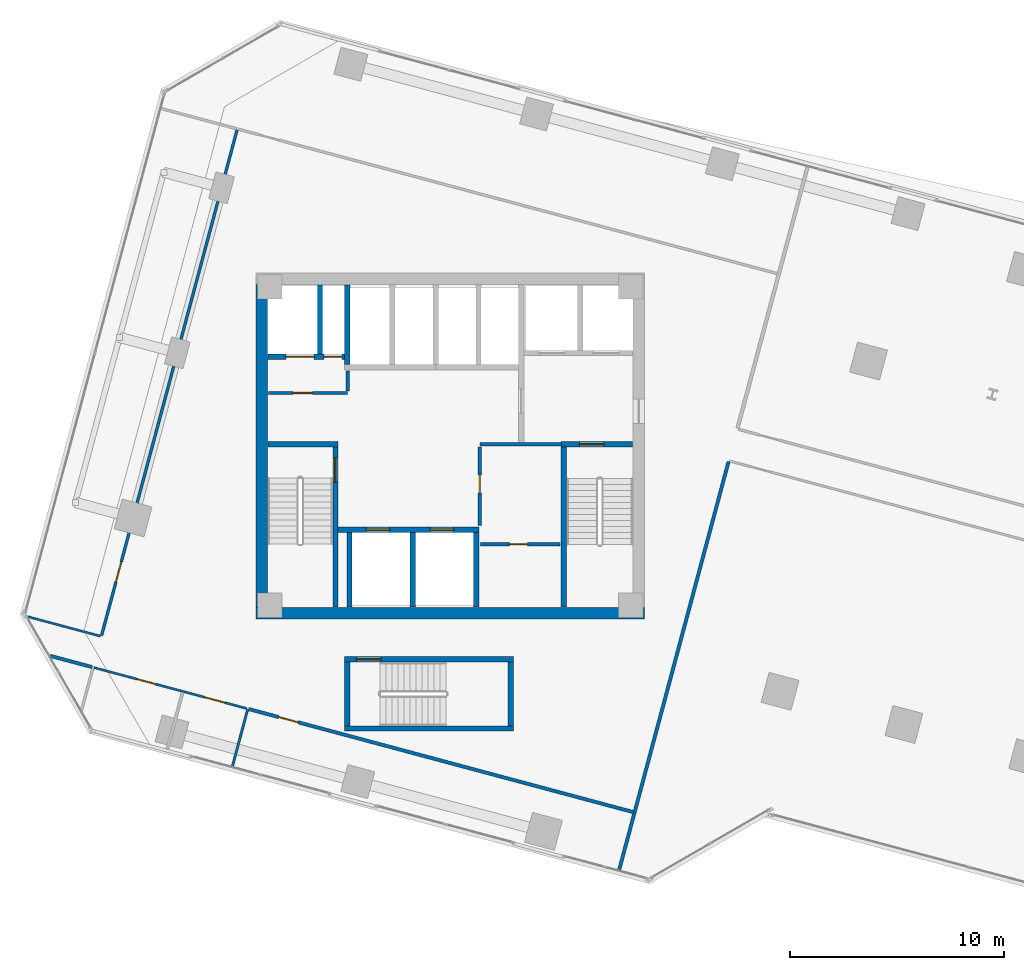
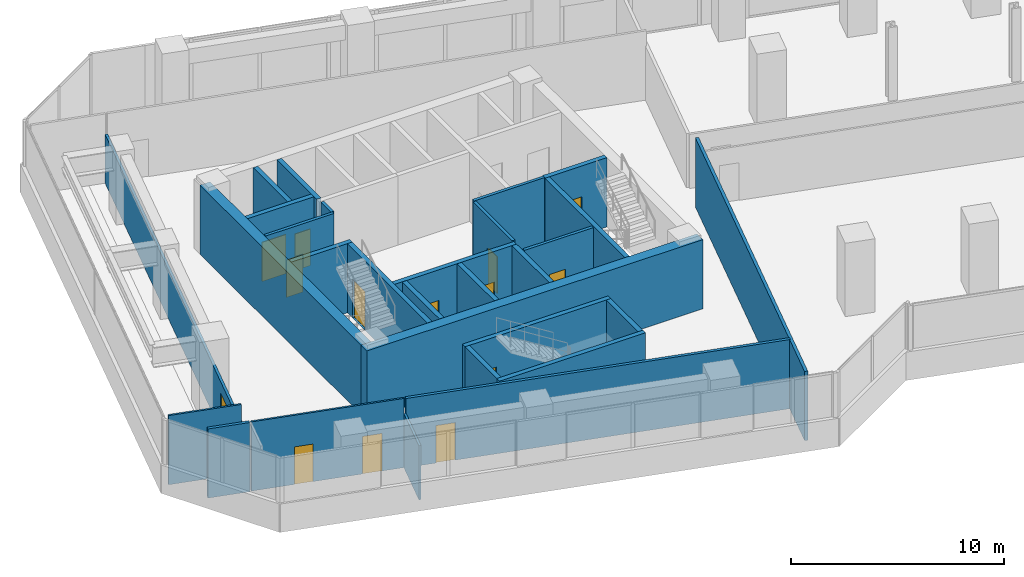
# One storey, part 20 of 26: 29 walls, 14 doors, 14 openings.
"""IFC4 building model written with IfcOpenShell, lengths in metres."""

from ifc_helpers import new_model, si_unit, direction, frame, frame_2d, origin, place, context, subcontext, project, spatial, rectangle, extrude, source, transform, mapped, material, layer, layer_set, type_object, element, fill, save


model = new_model("IFC4")

# Units and contexts
model_context = context("Model", 3, precision=1e-05, world=origin(), true_north=direction((0.0, 1.0)))
body_context = subcontext(model_context, "Body", "Model", "MODEL_VIEW")
ifc_project = project(units=[si_unit("LENGTHUNIT", "METRE"), si_unit("AREAUNIT", "SQUARE_METRE"), si_unit("VOLUMEUNIT", "CUBIC_METRE"), si_unit("PLANEANGLEUNIT", "RADIAN"), si_unit("MASSUNIT", "GRAM", prefix="KILO")], contexts=[model_context])

# Site, building, storey
site_placement = place(None, origin())
site = spatial("IfcSite", under=ifc_project, at=site_placement, CompositionType="ELEMENT")
building_placement = place(site_placement, origin())
building = spatial("IfcBuilding", under=site, at=building_placement, Name="Torre Montelarca", CompositionType="ELEMENT")
storey_placement = place(building_placement, frame((0.0, 0.0, 100.0)))
storey = spatial("IfcBuildingStorey", under=building, at=storey_placement, Name="L22", CompositionType="ELEMENT", Elevation=100.0)

# Wall, opening, door
ifc_material_1 = material(Name="Concrete C40/50", Category="concrete")
ifc_layer_1 = layer(ifc_material_1, 0.25, Name="Concrete C40/50", Category="concrete")
ifc_layer_set_1 = layer_set([ifc_layer_1], Name="Concrete C40/50")
wall_type_1 = type_object("IfcWallType", Name="CW-SHAFT-250", PredefinedType="SHEAR", material=ifc_layer_set_1)
wall_1_placement = place(storey_placement, frame((12.625, 24.4599609375, 0.0), z_axis=(0.0, 0.0, 1.0), x_axis=(0.0, 1.0, 0.0)))
wall_1 = element("IfcWall", 1, at=wall_1_placement, inside=storey, type_object=wall_type_1, Name="L22 Core Shear Wall SH-ST1-E", PredefinedType="SHEAR", context=body_context, shape_type="SweptSolid", body=[
    extrude(rectangle(XDim=7.489990234375, YDim=0.25, at=frame_2d((3.7451171875, 0.0))), origin(), (0.0, 0.0, 1.0), 3.9599609375),
])
opening_1_placement = place(wall_1_placement, frame((5.85009765625, 0.0, 0.0)))
opening_1 = element("IfcOpeningElement", 2, at=opening_1_placement, cuts=wall_1, Name="Opening FD-ST1", PredefinedType="OPENING", context=body_context, shape_type="SweptSolid", body=[
    extrude(rectangle(XDim=1.14990234375, YDim=2.199951171875, at=frame_2d((0.574951171875, 1.10009765625))), frame((0.0, 0.135009765625, 0.0), z_axis=(0.0, -1.0, 0.0), x_axis=(1.0, 0.0, 0.0)), (0.0, 0.0, 1.0), 0.27001953125),
])
ifc_material_2 = material(Name="Galvanized steel fire door", Category="steel")
door_type_1 = type_object("IfcDoorType", Name="DR-STAIR-115", OperationType="NOTDEFINED", PredefinedType="DOOR", material=ifc_material_2)
shared_shape_1 = source(origin(), body_context, "Body", "SweptSolid", [
    extrude(rectangle(XDim=1.14990234375, YDim=2.199951171875, at=frame_2d((0.574951171875, 1.10009765625))), frame((0.0, 0.02490234375, 0.0), z_axis=(0.0, -1.0, 0.0), x_axis=(1.0, 0.0, 0.0)), (0.0, 0.0, 1.0), 0.050048828125),
])
door_1_placement = place(opening_1_placement, origin())
door_1 = element("IfcDoor", 3, at=door_1_placement, inside=storey, type_object=door_type_1, Name="L22 Exit Stair ST1 Fire Door", OperationType="SINGLE_SWING_RIGHT", OverallHeight=2.199951171875, OverallWidth=1.14990234375, PredefinedType="DOOR", context=body_context, shape_type="MappedRepresentation", body=[
    mapped(shared_shape_1, transform((0.0, 0.0, 0.0), scale=1.0)),
])
fill(opening_1, door_1)

# Walls
wall_2_placement = place(storey_placement, frame((9.4599609375, 32.074951171875, 0.0), z_axis=(0.0, 0.0, 1.0), x_axis=(1.0, 0.0, 0.0)))
element("IfcWall", 4, at=wall_2_placement, inside=storey, type_object=wall_type_1, Name="L22 Core Shear Wall SH-ST1-N", PredefinedType="SHEAR", context=body_context, shape_type="SweptSolid", body=[
    extrude(rectangle(XDim=3.2900390625, YDim=0.25, at=frame_2d((1.64501953125, 0.0))), origin(), (0.0, 0.0, 1.0), 3.9599609375),
])
wall_3_placement = place(storey_placement, frame((23.31494140625, 24.4599609375, 0.0), z_axis=(0.0, 0.0, 1.0), x_axis=(0.0, 1.0, 0.0)))
element("IfcWall", 5, at=wall_3_placement, inside=storey, type_object=wall_type_1, Name="L22 Core Shear Wall SH-ST2-W", PredefinedType="SHEAR", context=body_context, shape_type="SweptSolid", body=[
    extrude(rectangle(XDim=7.489990234375, YDim=0.25, at=frame_2d((3.7451171875, 0.0))), origin(), (0.0, 0.0, 1.0), 3.9599609375),
])

# Wall, opening, door
wall_4_placement = place(storey_placement, frame((23.18994140625, 32.074951171875, 0.0), z_axis=(0.0, 0.0, 1.0), x_axis=(1.0, 0.0, 0.0)))
wall_4 = element("IfcWall", 6, at=wall_4_placement, inside=storey, type_object=wall_type_1, Name="L22 Core Shear Wall SH-ST2-N", PredefinedType="SHEAR", context=body_context, shape_type="SweptSolid", body=[
    extrude(rectangle(XDim=3.35009765625, YDim=0.25, at=frame_2d((1.675048828125, 0.0))), origin(), (0.0, 0.0, 1.0), 3.9599609375),
])
opening_2_placement = place(wall_4_placement, frame((0.85009765625, 0.0, 0.0)))
opening_2 = element("IfcOpeningElement", 7, at=opening_2_placement, cuts=wall_4, Name="Opening FD-ST1", PredefinedType="OPENING", context=body_context, shape_type="SweptSolid", body=[
    extrude(rectangle(XDim=1.14990234375, YDim=2.199951171875, at=frame_2d((0.574951171875, 1.10009765625))), frame((0.0, 0.135009765625, 0.0), z_axis=(0.0, -1.0, 0.0), x_axis=(1.0, 0.0, 0.0)), (0.0, 0.0, 1.0), 0.27001953125),
])
door_2_placement = place(opening_2_placement, origin())
door_2 = element("IfcDoor", 8, at=door_2_placement, inside=storey, type_object=door_type_1, Name="L22 Exit Stair ST2 Fire Door", OperationType="SINGLE_SWING_RIGHT", OverallHeight=2.199951171875, OverallWidth=1.14990234375, PredefinedType="DOOR", context=body_context, shape_type="MappedRepresentation", body=[
    mapped(shared_shape_1, transform((0.0, 0.0, 0.0), scale=1.0)),
])
fill(opening_2, door_2)

# Wall, openings, doors
wall_5_placement = place(storey_placement, frame((9.4599609375, 36.179931640625, 0.0), z_axis=(0.0, 0.0, 1.0), x_axis=(1.0, 0.0, 0.0)))
wall_5 = element("IfcWall", 9, at=wall_5_placement, inside=storey, type_object=wall_type_1, Name="L22 Core Shear Wall SH-SV1-S", PredefinedType="SHEAR", context=body_context, shape_type="SweptSolid", body=[
    extrude(rectangle(XDim=3.7900390625, YDim=0.25, at=frame_2d((1.89501953125, 0.0))), origin(), (0.0, 0.0, 1.0), 3.9599609375),
])
opening_3_placement = place(wall_5_placement, frame((2.6201171875, 0.0, 0.0)))
opening_3 = element("IfcOpeningElement", 10, at=opening_3_placement, cuts=wall_5, Name="Opening FD-085", PredefinedType="OPENING", context=body_context, shape_type="SweptSolid", body=[
    extrude(rectangle(XDim=0.85009765625, YDim=2.10009765625, at=frame_2d((0.425048828125, 1.050048828125))), frame((0.0, 0.135009765625, 0.0), z_axis=(0.0, -1.0, 0.0), x_axis=(1.0, 0.0, 0.0)), (0.0, 0.0, 1.0), 0.27001953125),
])
opening_4_placement = place(wall_5_placement, frame((0.85009765625, 0.0, 0.0)))
opening_4 = element("IfcOpeningElement", 11, at=opening_4_placement, cuts=wall_5, Name="Opening LD-130", PredefinedType="OPENING", context=body_context, shape_type="SweptSolid", body=[
    extrude(rectangle(XDim=1.300048828125, YDim=2.25, at=frame_2d((0.64990234375, 1.125))), frame((0.0, 0.135009765625, 0.0), z_axis=(0.0, -1.0, 0.0), x_axis=(1.0, 0.0, 0.0)), (0.0, 0.0, 1.0), 0.27001953125),
])
ifc_material_3 = material(Name="Steel riser access fire door", Category="steel")
door_type_2 = type_object("IfcDoorType", Name="DR-RISER-085", OperationType="NOTDEFINED", PredefinedType="DOOR", material=ifc_material_3)
shared_shape_2 = source(origin(), body_context, "Body", "SweptSolid", [
    extrude(rectangle(XDim=0.85009765625, YDim=2.10009765625, at=frame_2d((0.425048828125, 1.050048828125))), frame((0.0, 0.02490234375, 0.0), z_axis=(0.0, -1.0, 0.0), x_axis=(1.0, 0.0, 0.0)), (0.0, 0.0, 1.0), 0.050048828125),
])
door_3_placement = place(opening_3_placement, origin())
door_3 = element("IfcDoor", 12, at=door_3_placement, inside=storey, type_object=door_type_2, Name="L22 Electrical Riser Shaft Access Door", OperationType="SINGLE_SWING_RIGHT", OverallHeight=2.10009765625, OverallWidth=0.85009765625, PredefinedType="DOOR", context=body_context, shape_type="MappedRepresentation", body=[
    mapped(shared_shape_2, transform((0.0, 0.0, 0.0), scale=1.0)),
])
fill(opening_3, door_3)
ifc_material_4 = material(Name="Brushed stainless steel AISI 316", Category="steel")
door_type_3 = type_object("IfcDoorType", Name="DR-LIFT-130", OperationType="SLIDING_TO_LEFT", PredefinedType="DOOR", material=ifc_material_4)
shared_shape_3 = source(origin(), body_context, "Body", "SweptSolid", [
    extrude(rectangle(XDim=1.300048828125, YDim=2.25, at=frame_2d((0.64990234375, 1.125))), frame((0.0, 0.02490234375, 0.0), z_axis=(0.0, -1.0, 0.0), x_axis=(1.0, 0.0, 0.0)), (0.0, 0.0, 1.0), 0.050048828125),
])
door_4_placement = place(opening_4_placement, origin())
door_4 = element("IfcDoor", 13, at=door_4_placement, inside=storey, type_object=door_type_3, Name="L22 Lift Landing Sliding Door SV-1", OperationType="SLIDING_TO_LEFT", OverallHeight=2.25, OverallWidth=1.300048828125, PredefinedType="DOOR", context=body_context, shape_type="MappedRepresentation", body=[
    mapped(shared_shape_3, transform((0.0, 0.0, 0.0), scale=1.0)),
])
fill(opening_4, door_4)

# Wall
wall_6_placement = place(storey_placement, frame((11.89990234375, 36.31005859375, 0.0), z_axis=(0.0, 0.0, 1.0), x_axis=(0.0, 1.0, 0.0)))
element("IfcWall", 14, at=wall_6_placement, inside=storey, type_object=wall_type_1, Name="L22 Core Shear Wall SH-SV1-E", PredefinedType="SHEAR", context=body_context, shape_type="SweptSolid", body=[
    extrude(rectangle(XDim=3.22998046875, YDim=0.25, at=frame_2d((1.614990234375, 0.0))), origin(), (0.0, 0.0, 1.0), 3.9599609375),
])

# Wall, openings, doors
wall_7_placement = place(storey_placement, frame((12.6298828125, 28.080078125, 0.0), z_axis=(0.0, 0.0, 1.0), x_axis=(1.0, 0.0, 0.0)))
wall_7 = element("IfcWall", 15, at=wall_7_placement, inside=storey, type_object=wall_type_1, Name="L22 Core Shear Wall SH-PLL-N", PredefinedType="SHEAR", context=body_context, shape_type="SweptSolid", body=[
    extrude(rectangle(XDim=6.710205078125, YDim=0.25, at=frame_2d((3.35498046875, 0.0))), origin(), (0.0, 0.0, 1.0), 3.9599609375),
])
opening_5_placement = place(wall_7_placement, frame((1.429931640625, 0.0, 0.0)))
opening_5 = element("IfcOpeningElement", 16, at=opening_5_placement, cuts=wall_7, Name="Opening LD-110", PredefinedType="OPENING", context=body_context, shape_type="SweptSolid", body=[
    extrude(rectangle(XDim=1.10009765625, YDim=2.199951171875, at=frame_2d((0.550048828125, 1.10009765625))), frame((0.0, 0.135009765625, 0.0), z_axis=(0.0, -1.0, 0.0), x_axis=(1.0, 0.0, 0.0)), (0.0, 0.0, 1.0), 0.27001953125),
])
opening_6_placement = place(wall_7_placement, frame((4.429931640625, 0.0, 0.0)))
opening_6 = element("IfcOpeningElement", 17, at=opening_6_placement, cuts=wall_7, Name="Opening LD-110", PredefinedType="OPENING", context=body_context, shape_type="SweptSolid", body=[
    extrude(rectangle(XDim=1.10009765625, YDim=2.199951171875, at=frame_2d((0.550048828125, 1.10009765625))), frame((0.0, 0.135009765625, 0.0), z_axis=(0.0, -1.0, 0.0), x_axis=(1.0, 0.0, 0.0)), (0.0, 0.0, 1.0), 0.27001953125),
])
door_type_4 = type_object("IfcDoorType", Name="DR-LIFT-110", OperationType="SLIDING_TO_LEFT", PredefinedType="DOOR", material=ifc_material_4)
shared_shape_4 = source(origin(), body_context, "Body", "SweptSolid", [
    extrude(rectangle(XDim=1.10009765625, YDim=2.199951171875, at=frame_2d((0.550048828125, 1.10009765625))), frame((0.0, 0.02490234375, 0.0), z_axis=(0.0, -1.0, 0.0), x_axis=(1.0, 0.0, 0.0)), (0.0, 0.0, 1.0), 0.050048828125),
])
door_5_placement = place(opening_5_placement, origin())
door_5 = element("IfcDoor", 18, at=door_5_placement, inside=storey, type_object=door_type_4, Name="L22 Lift Landing Sliding Door PL-L1", OperationType="SLIDING_TO_LEFT", OverallHeight=2.199951171875, OverallWidth=1.10009765625, PredefinedType="DOOR", context=body_context, shape_type="MappedRepresentation", body=[
    mapped(shared_shape_4, transform((0.0, 0.0, 0.0), scale=1.0)),
])
fill(opening_5, door_5)
door_6_placement = place(opening_6_placement, origin())
door_6 = element("IfcDoor", 19, at=door_6_placement, inside=storey, type_object=door_type_4, Name="L22 Lift Landing Sliding Door PL-L2", OperationType="SLIDING_TO_RIGHT", OverallHeight=2.199951171875, OverallWidth=1.10009765625, PredefinedType="DOOR", context=body_context, shape_type="MappedRepresentation", body=[
    mapped(shared_shape_4, transform((0.0, 0.0, 0.0), scale=1.0)),
])
fill(opening_6, door_6)

# Walls
for number, where, z_axis, x_axis, name in (
    (20, (13.280029296875, 24.4599609375, 0.0), (0.0, 0.0, 1.0), (0.0, 1.0, 0.0), "L22 Core Shear Wall SH-PLL-W"),
    (21, (16.25, 24.4599609375, 0.0), (0.0, 0.0, 1.0), (0.0, 1.0, 0.0), "L22 Core Shear Wall SH-PLL-M"),
    (22, (19.219970703125, 24.4599609375, 0.0), (0.0, 0.0, 1.0), (0.0, 1.0, 0.0), "L22 Core Shear Wall SH-PLL-E"),
):
    element("IfcWall", number, at=place(storey_placement, frame(where, z_axis=z_axis, x_axis=x_axis)), inside=storey, type_object=wall_type_1, Name=name, PredefinedType="SHEAR", context=body_context, shape_type="SweptSolid", body=[
        extrude(rectangle(XDim=3.489990234375, YDim=0.25, at=frame_2d((1.7451171875, 0.0))), origin(), (0.0, 0.0, 1.0), 3.9599609375),
    ])
wall_8_placement = place(storey_placement, frame((13.179931640625, 35.81005859375, 0.0), z_axis=(0.0, 0.0, 1.0), x_axis=(0.0, 1.0, 0.0)))
element("IfcWall", 23, at=wall_8_placement, inside=storey, type_object=wall_type_1, Name="L22 Core Shear Wall SH-PLM-W", PredefinedType="SHEAR", context=body_context, shape_type="SweptSolid", body=[
    extrude(rectangle(XDim=3.72998046875, YDim=0.25, at=frame_2d((1.864990234375, 0.0))), origin(), (0.0, 0.0, 1.0), 3.9599609375),
])
for number, where, z_axis, x_axis, name in (
    (24, (13.175048828125, 18.89990234375, 0.0), (0.0, 0.0, 1.0), (0.0, 1.0, 0.0), "L22 Core Shear Wall SH-ST3-W"),
    (25, (20.824951171875, 18.89990234375, 0.0), (0.0, 0.0, 1.0), (0.0, 1.0, 0.0), "L22 Core Shear Wall SH-ST3-E"),
):
    element("IfcWall", number, at=place(storey_placement, frame(where, z_axis=z_axis, x_axis=x_axis)), inside=storey, type_object=wall_type_1, Name=name, PredefinedType="SHEAR", context=body_context, shape_type="SweptSolid", body=[
        extrude(rectangle(XDim=2.989990234375, YDim=0.25, at=frame_2d((1.4951171875, 0.0))), origin(), (0.0, 0.0, 1.0), 3.9599609375),
    ])
wall_9_placement = place(storey_placement, frame((13.050048828125, 18.77490234375, 0.0), z_axis=(0.0, 0.0, 1.0), x_axis=(1.0, 0.0, 0.0)))
element("IfcWall", 26, at=wall_9_placement, inside=storey, type_object=wall_type_1, Name="L22 Core Shear Wall SH-ST3-S", PredefinedType="SHEAR", context=body_context, shape_type="SweptSolid", body=[
    extrude(rectangle(XDim=7.89990234375, YDim=0.25, at=frame_2d((3.949951171875, 0.0))), origin(), (0.0, 0.0, 1.0), 3.9599609375),
])

# Wall, opening, door
wall_10_placement = place(storey_placement, frame((13.050048828125, 22.014892578125, 0.0), z_axis=(0.0, 0.0, 1.0), x_axis=(1.0, 0.0, 0.0)))
wall_10 = element("IfcWall", 27, at=wall_10_placement, inside=storey, type_object=wall_type_1, Name="L22 Core Shear Wall SH-ST3-N", PredefinedType="SHEAR", context=body_context, shape_type="SweptSolid", body=[
    extrude(rectangle(XDim=7.89990234375, YDim=0.25, at=frame_2d((3.949951171875, 0.0))), origin(), (0.0, 0.0, 1.0), 3.9599609375),
])
opening_7_placement = place(wall_10_placement, frame((0.550048828125, 0.0, 0.0)))
opening_7 = element("IfcOpeningElement", 28, at=opening_7_placement, cuts=wall_10, Name="Opening FD-ST1", PredefinedType="OPENING", context=body_context, shape_type="SweptSolid", body=[
    extrude(rectangle(XDim=1.14990234375, YDim=2.199951171875, at=frame_2d((0.574951171875, 1.10009765625))), frame((0.0, 0.135009765625, 0.0), z_axis=(0.0, -1.0, 0.0), x_axis=(1.0, 0.0, 0.0)), (0.0, 0.0, 1.0), 0.27001953125),
])
door_7_placement = place(opening_7_placement, origin())
door_7 = element("IfcDoor", 29, at=door_7_placement, inside=storey, type_object=door_type_1, Name="L22 Exit Stair ST3 Fire Door", OperationType="SINGLE_SWING_LEFT", OverallHeight=2.199951171875, OverallWidth=1.14990234375, PredefinedType="DOOR", context=body_context, shape_type="MappedRepresentation", body=[
    mapped(shared_shape_1, transform((0.0, 0.0, 0.0), scale=1.0)),
])
fill(opening_7, door_7)

# Walls
ifc_material_5 = material(Name="Concrete C70/85", Category="concrete")
ifc_layer_2 = layer(ifc_material_5, 0.550048828125, Name="Concrete C70/85", Category="concrete")
ifc_layer_set_2 = layer_set([ifc_layer_2], Name="Concrete C70/85")
wall_type_2 = type_object("IfcWallType", Name="CW-SHEAR-550", PredefinedType="SHEAR", material=ifc_layer_set_2)
wall_11_placement = place(storey_placement, frame((9.175048828125, 24.449951171875, 0.0), z_axis=(0.0, 0.0, 1.0), x_axis=(0.0, 1.0, 0.0)))
element("IfcWall", 30, at=wall_11_placement, inside=storey, type_object=wall_type_2, Name="L22 Core Shear Wall CW-W", PredefinedType="SHEAR", context=body_context, shape_type="SweptSolid", body=[
    extrude(rectangle(XDim=15.10009765625, YDim=0.550048828125, at=frame_2d((7.550048828125, 0.0))), origin(), (0.0, 0.0, 1.0), 3.9599609375),
])
wall_12_placement = place(storey_placement, frame((8.89990234375, 24.175048828125, 0.0), z_axis=(0.0, 0.0, 1.0), x_axis=(1.0, 0.0, 0.0)))
element("IfcWall", 31, at=wall_12_placement, inside=storey, type_object=wall_type_2, Name="L22 Core Shear Wall CW-S1", PredefinedType="SHEAR", context=body_context, shape_type="SweptSolid", body=[
    extrude(rectangle(XDim=18.2001953125, YDim=0.550048828125, at=frame_2d((9.10009765625, 0.0))), origin(), (0.0, 0.0, 1.0), 3.9599609375),
])

# Wall, opening, door
ifc_material_6 = material(Name="Gypsum plasterboard on steel stud", Category="steel")
ifc_layer_3 = layer(ifc_material_6, 0.159912109375, Name="Gypsum plasterboard on steel stud", Category="steel")
ifc_layer_set_3 = layer_set([ifc_layer_3], Name="Gypsum plasterboard on steel stud")
wall_type_3 = type_object("IfcWallType", Name="PW-FIRE-160", PredefinedType="PARTITIONING", material=ifc_layer_set_3)
wall_13_placement = place(storey_placement, frame((9.489990234375, 34.47998046875, 0.0), z_axis=(0.0, 0.0, 1.0), x_axis=(1.0, 0.0, 0.0)))
wall_13 = element("IfcWall", 32, at=wall_13_placement, inside=storey, type_object=wall_type_3, Name="L22 Interior Partition CW-L22-SVS", PredefinedType="PARTITIONING", context=body_context, shape_type="SweptSolid", body=[
    extrude(rectangle(XDim=3.699951171875, YDim=0.159912109375, at=frame_2d((1.85009765625, 0.0))), origin(), (0.0, 0.0, 1.0), 3.9599609375),
])
opening_8_placement = place(wall_13_placement, frame((1.14990234375, 0.0, 0.0)))
opening_8 = element("IfcOpeningElement", 33, at=opening_8_placement, cuts=wall_13, Name="Opening FD-090", PredefinedType="OPENING", context=body_context, shape_type="SweptSolid", body=[
    extrude(rectangle(XDim=0.89990234375, YDim=2.14990234375, at=frame_2d((0.449951171875, 1.074951171875))), frame((0.0, 0.08984375, 0.0), z_axis=(0.0, -1.0, 0.0), x_axis=(1.0, 0.0, 0.0)), (0.0, 0.0, 1.0), 0.179931640625),
])
ifc_material_7 = material(Name="Steel service fire door", Category="steel")
door_type_5 = type_object("IfcDoorType", Name="DR-FIRE-090", OperationType="NOTDEFINED", PredefinedType="DOOR", material=ifc_material_7)
shared_shape_5 = source(origin(), body_context, "Body", "SweptSolid", [
    extrude(rectangle(XDim=0.89990234375, YDim=2.14990234375, at=frame_2d((0.449951171875, 1.074951171875))), frame((0.0, 0.02490234375, 0.0), z_axis=(0.0, -1.0, 0.0), x_axis=(1.0, 0.0, 0.0)), (0.0, 0.0, 1.0), 0.050048828125),
])
door_8_placement = place(opening_8_placement, origin())
door_8 = element("IfcDoor", 34, at=door_8_placement, inside=storey, type_object=door_type_5, Name="L22 Interior Door 01", OperationType="SINGLE_SWING_RIGHT", OverallHeight=2.14990234375, OverallWidth=0.89990234375, PredefinedType="DOOR", context=body_context, shape_type="MappedRepresentation", body=[
    mapped(shared_shape_5, transform((0.0, 0.0, 0.0), scale=1.0)),
])
fill(opening_8, door_8)

# Walls
wall_14_placement = place(storey_placement, frame((13.199951171875, 34.570068359375, 0.0), z_axis=(0.0, 0.0, 1.0), x_axis=(0.0, 1.0, 0.0)))
element("IfcWall", 35, at=wall_14_placement, inside=storey, type_object=wall_type_3, Name="L22 Interior Partition CW-L22-SVE", PredefinedType="PARTITIONING", context=body_context, shape_type="SweptSolid", body=[
    extrude(rectangle(XDim=0.93994140625, YDim=0.159912109375, at=frame_2d((0.469970703125, 0.0))), origin(), (0.0, 0.0, 1.0), 3.9599609375),
])
wall_15_placement = place(storey_placement, frame((19.389892578125, 32.080078125, 0.0), z_axis=(0.0, 0.0, 1.0), x_axis=(1.0, 0.0, 0.0)))
element("IfcWall", 36, at=wall_15_placement, inside=storey, type_object=wall_type_3, Name="L22 Interior Partition CW-L22-SEN", PredefinedType="PARTITIONING", context=body_context, shape_type="SweptSolid", body=[
    extrude(rectangle(XDim=3.820068359375, YDim=0.159912109375, at=frame_2d((1.91015625, 0.0))), origin(), (0.0, 0.0, 1.0), 3.9599609375),
])

# Wall, opening, door
wall_16_placement = place(storey_placement, frame((19.3798828125, 28.2900390625, 0.0), z_axis=(0.0, 0.0, 1.0), x_axis=(0.0, 1.0, 0.0)))
wall_16 = element("IfcWall", 37, at=wall_16_placement, inside=storey, type_object=wall_type_3, Name="L22 Interior Partition CW-L22-SEW", PredefinedType="PARTITIONING", context=body_context, shape_type="SweptSolid", body=[
    extrude(rectangle(XDim=3.669921875, YDim=0.159912109375, at=frame_2d((1.8349609375, 0.0))), origin(), (0.0, 0.0, 1.0), 3.9599609375),
])
opening_9_placement = place(wall_16_placement, frame((1.5, 0.0, 0.0)))
opening_9 = element("IfcOpeningElement", 38, at=opening_9_placement, cuts=wall_16, Name="Opening FD-085", PredefinedType="OPENING", context=body_context, shape_type="SweptSolid", body=[
    extrude(rectangle(XDim=0.85009765625, YDim=2.10009765625, at=frame_2d((0.425048828125, 1.050048828125))), frame((0.0, 0.08984375, 0.0), z_axis=(0.0, -1.0, 0.0), x_axis=(1.0, 0.0, 0.0)), (0.0, 0.0, 1.0), 0.179931640625),
])
door_9_placement = place(opening_9_placement, origin())
door_9 = element("IfcDoor", 39, at=door_9_placement, inside=storey, type_object=door_type_2, Name="L22 Interior Door 03", OperationType="SINGLE_SWING_RIGHT", OverallHeight=2.10009765625, OverallWidth=0.85009765625, PredefinedType="DOOR", context=body_context, shape_type="MappedRepresentation", body=[
    mapped(shared_shape_2, transform((0.0, 0.0, 0.0), scale=1.0)),
])
fill(opening_9, door_9)

wall_17_placement = place(storey_placement, frame((19.419921875, 27.39990234375, 0.0), z_axis=(0.0, 0.0, 1.0), x_axis=(1.0, 0.0, 0.0)))
wall_17 = element("IfcWall", 40, at=wall_17_placement, inside=storey, type_object=wall_type_3, Name="L22 Interior Partition CW-L22-SEM1", PredefinedType="PARTITIONING", context=body_context, shape_type="SweptSolid", body=[
    extrude(rectangle(XDim=3.719970703125, YDim=0.159912109375, at=frame_2d((1.85986328125, 0.0))), origin(), (0.0, 0.0, 1.0), 3.9599609375),
])
opening_10_placement = place(wall_17_placement, frame((1.35009765625, 0.0, 0.0)))
opening_10 = element("IfcOpeningElement", 41, at=opening_10_placement, cuts=wall_17, Name="Opening FD-085", PredefinedType="OPENING", context=body_context, shape_type="SweptSolid", body=[
    extrude(rectangle(XDim=0.85009765625, YDim=2.10009765625, at=frame_2d((0.425048828125, 1.050048828125))), frame((0.0, 0.08984375, 0.0), z_axis=(0.0, -1.0, 0.0), x_axis=(1.0, 0.0, 0.0)), (0.0, 0.0, 1.0), 0.179931640625),
])
door_10_placement = place(opening_10_placement, origin())
door_10 = element("IfcDoor", 42, at=door_10_placement, inside=storey, type_object=door_type_2, Name="L22 Interior Door 02", OperationType="SINGLE_SWING_LEFT", OverallHeight=2.10009765625, OverallWidth=0.85009765625, PredefinedType="DOOR", context=body_context, shape_type="MappedRepresentation", body=[
    mapped(shared_shape_2, transform((0.0, 0.0, 0.0), scale=1.0)),
])
fill(opening_10, door_10)

# Wall
wall_18_placement = place(storey_placement, frame((-0.7216796875, 22.176513671875, 0.0), z_axis=(0.0, 0.0, 1.0), x_axis=(0.965965207833, -0.258672026426, 0.0)))
element("IfcWall", 43, at=wall_18_placement, inside=storey, type_object=wall_type_3, Name="L22 Interior Partition W-L22-SOCCW", PredefinedType="PARTITIONING", context=body_context, shape_type="SweptSolid", body=[
    extrude(rectangle(XDim=2.031982421875, YDim=0.159912109375, at=frame_2d((1.01611328125, 0.0))), origin(), (0.0, 0.0, 1.0), 3.9599609375),
])

# Wall, opening, door
wall_19_placement = place(storey_placement, frame((8.562744140625, 19.688720703125, 0.0), z_axis=(0.0, 0.0, 1.0), x_axis=(0.965928721089, -0.258808241319, 0.0)))
wall_19 = element("IfcWall", 44, at=wall_19_placement, inside=storey, type_object=wall_type_3, Name="L22 Interior Partition W-L22-SOCCN", PredefinedType="PARTITIONING", context=body_context, shape_type="SweptSolid", body=[
    extrude(rectangle(XDim=18.659912109375, YDim=0.159912109375, at=frame_2d((9.330078125, 0.0))), origin(), (0.0, 0.0, 1.0), 3.9599609375),
])
opening_11_placement = place(wall_19_placement, frame((1.449951171875, 0.0, 0.0)))
opening_11 = element("IfcOpeningElement", 45, at=opening_11_placement, cuts=wall_19, Name="Opening FD-095", PredefinedType="OPENING", context=body_context, shape_type="SweptSolid", body=[
    extrude(rectangle(XDim=0.949951171875, YDim=2.14990234375, at=frame_2d((0.47509765625, 1.074951171875))), frame((0.0, 0.08984375, 0.0), z_axis=(0.0, -1.0, 0.0), x_axis=(1.0, 0.0, 0.0)), (0.0, 0.0, 1.0), 0.179931640625),
])
ifc_material_8 = material(Name="Timber fire-rated room door", Category="wood")
door_type_6 = type_object("IfcDoorType", Name="DR-FIRE-095", OperationType="NOTDEFINED", PredefinedType="DOOR", material=ifc_material_8)
shared_shape_6 = source(origin(), body_context, "Body", "SweptSolid", [
    extrude(rectangle(XDim=0.949951171875, YDim=2.14990234375, at=frame_2d((0.47509765625, 1.074951171875))), frame((0.0, 0.02490234375, 0.0), z_axis=(0.0, -1.0, 0.0), x_axis=(1.0, 0.0, 0.0)), (0.0, 0.0, 1.0), 0.050048828125),
])
door_11_placement = place(opening_11_placement, origin())
door_11 = element("IfcDoor", 46, at=door_11_placement, inside=storey, type_object=door_type_6, Name="L22 Interior Door 06", OperationType="SINGLE_SWING_RIGHT", OverallHeight=2.14990234375, OverallWidth=0.949951171875, PredefinedType="DOOR", context=body_context, shape_type="MappedRepresentation", body=[
    mapped(shared_shape_6, transform((0.0, 0.0, 0.0), scale=1.0)),
])
fill(opening_11, door_11)

# Wall
wall_20_placement = place(storey_placement, frame((25.90625, 12.163818359375, 0.0), z_axis=(0.0, 0.0, 1.0), x_axis=(0.258805595447, 0.965929430013, 0.0)))
element("IfcWall", 47, at=wall_20_placement, inside=storey, type_object=wall_type_3, Name="L22 Interior Partition W-L22-ECS", PredefinedType="PARTITIONING", context=body_context, shape_type="SweptSolid", body=[
    extrude(rectangle(XDim=19.77978515625, YDim=0.159912109375, at=frame_2d((9.889892578125, 0.0))), origin(), (0.0, 0.0, 1.0), 3.9599609375),
])

# Wall, openings, doors
ifc_material_9 = material(Name="Acoustic laminated glass partition", Category="glass")
ifc_layer_4 = layer(ifc_material_9, 0.10009765625, Name="Acoustic laminated glass partition", Category="glass")
ifc_layer_set_4 = layer_set([ifc_layer_4], Name="Acoustic laminated glass partition")
wall_type_4 = type_object("IfcWallType", Name="PW-GLAZ-100", PredefinedType="PARTITIONING", material=ifc_layer_set_4)
wall_21_placement = place(storey_placement, frame((1.318359375, 21.6298828125, 0.0), z_axis=(0.0, 0.0, 1.0), x_axis=(0.965935568552, -0.258782683744, 0.0)))
wall_21 = element("IfcWall", 48, at=wall_21_placement, inside=storey, type_object=wall_type_4, Name="L22 Interior Partition W-L22-WCN", PredefinedType="PARTITIONING", context=body_context, shape_type="SweptSolid", body=[
    extrude(rectangle(XDim=7.419921875, YDim=0.10009765625, at=frame_2d((3.7099609375, 0.0))), origin(), (0.0, 0.0, 1.0), 3.9599609375),
])
opening_12_placement = place(wall_21_placement, frame((2.10009765625, 0.0, 0.0)))
opening_12 = element("IfcOpeningElement", 49, at=opening_12_placement, cuts=wall_21, Name="Opening ID-090", PredefinedType="OPENING", context=body_context, shape_type="SweptSolid", body=[
    extrude(rectangle(XDim=0.89990234375, YDim=2.14990234375, at=frame_2d((0.449951171875, 1.074951171875))), frame((0.0, 0.06005859375, 0.0), z_axis=(0.0, -1.0, 0.0), x_axis=(1.0, 0.0, 0.0)), (0.0, 0.0, 1.0), 0.1201171875),
])
opening_13_placement = place(wall_21_placement, frame((5.39990234375, 0.0, 0.0)))
opening_13 = element("IfcOpeningElement", 50, at=opening_13_placement, cuts=wall_21, Name="Opening ID-095", PredefinedType="OPENING", context=body_context, shape_type="SweptSolid", body=[
    extrude(rectangle(XDim=0.949951171875, YDim=2.14990234375, at=frame_2d((0.47509765625, 1.074951171875))), frame((0.0, 0.06005859375, 0.0), z_axis=(0.0, -1.0, 0.0), x_axis=(1.0, 0.0, 0.0)), (0.0, 0.0, 1.0), 0.1201171875),
])
ifc_material_10 = material(Name="Hardwood acoustic timber veneer", Category="wood")
door_type_7 = type_object("IfcDoorType", Name="DR-INT-090", OperationType="NOTDEFINED", PredefinedType="DOOR", material=ifc_material_10)
shared_shape_7 = source(origin(), body_context, "Body", "SweptSolid", [
    extrude(rectangle(XDim=0.89990234375, YDim=2.14990234375, at=frame_2d((0.449951171875, 1.074951171875))), frame((0.0, 0.02490234375, 0.0), z_axis=(0.0, -1.0, 0.0), x_axis=(1.0, 0.0, 0.0)), (0.0, 0.0, 1.0), 0.050048828125),
])
door_12_placement = place(opening_12_placement, origin())
door_12 = element("IfcDoor", 51, at=door_12_placement, inside=storey, type_object=door_type_7, Name="L22 Interior Door 04", OperationType="SINGLE_SWING_LEFT", OverallHeight=2.14990234375, OverallWidth=0.89990234375, PredefinedType="DOOR", context=body_context, shape_type="MappedRepresentation", body=[
    mapped(shared_shape_7, transform((0.0, 0.0, 0.0), scale=1.0)),
])
fill(opening_12, door_12)
door_type_8 = type_object("IfcDoorType", Name="DR-INT-095", OperationType="NOTDEFINED", PredefinedType="DOOR", material=ifc_material_10)
shared_shape_8 = source(origin(), body_context, "Body", "SweptSolid", [
    extrude(rectangle(XDim=0.949951171875, YDim=2.14990234375, at=frame_2d((0.47509765625, 1.074951171875))), frame((0.0, 0.02490234375, 0.0), z_axis=(0.0, -1.0, 0.0), x_axis=(1.0, 0.0, 0.0)), (0.0, 0.0, 1.0), 0.050048828125),
])
door_13_placement = place(opening_13_placement, origin())
door_13 = element("IfcDoor", 52, at=door_13_placement, inside=storey, type_object=door_type_8, Name="L22 Interior Door 05", OperationType="SINGLE_SWING_RIGHT", OverallHeight=2.14990234375, OverallWidth=0.949951171875, PredefinedType="DOOR", context=body_context, shape_type="MappedRepresentation", body=[
    mapped(shared_shape_8, transform((0.0, 0.0, 0.0), scale=1.0)),
])
fill(opening_13, door_13)

# Walls
wall_22_placement = place(storey_placement, frame((-1.782470703125, 24.013671875, 0.0), z_axis=(0.0, 0.0, 1.0), x_axis=(0.965936019953, -0.258780998834, 0.0)))
element("IfcWall", 53, at=wall_22_placement, inside=storey, type_object=wall_type_4, Name="L22 Interior Partition W-L22-WWGS", PredefinedType="PARTITIONING", context=body_context, shape_type="SweptSolid", body=[
    extrude(rectangle(XDim=3.5322265625, YDim=0.10009765625, at=frame_2d((1.76611328125, 0.0))), origin(), (0.0, 0.0, 1.0), 3.9599609375),
])
ifc_layer_5 = layer(ifc_material_6, 0.114990234375, Name="Gypsum plasterboard on steel stud", Category="steel")
ifc_layer_set_5 = layer_set([ifc_layer_5], Name="Gypsum plasterboard on steel stud")
wall_type_5 = type_object("IfcWallType", Name="PW-PART-115", PredefinedType="PARTITIONING", material=ifc_layer_set_5)
wall_23_placement = place(storey_placement, frame((7.8046875, 17.013916015625, 0.0), z_axis=(0.0, 0.0, 1.0), x_axis=(0.258832579125, 0.965922199757, 0.0)))
element("IfcWall", 54, at=wall_23_placement, inside=storey, type_object=wall_type_5, Name="L22 Interior Partition W-L22-SWCDIV", PredefinedType="PARTITIONING", context=body_context, shape_type="SweptSolid", body=[
    extrude(rectangle(XDim=2.739990234375, YDim=0.114990234375, at=frame_2d((1.3701171875, 0.0))), origin(), (0.0, 0.0, 1.0), 3.094970703125),
])

# Wall, opening, door
ifc_layer_6 = layer(ifc_material_6, 0.135009765625, Name="Gypsum plasterboard on steel stud", Category="steel")
ifc_layer_set_6 = layer_set([ifc_layer_6], Name="Gypsum plasterboard on steel stud")
wall_type_6 = type_object("IfcWallType", Name="PW-PART-135", PredefinedType="PARTITIONING", material=ifc_layer_set_6)
wall_24_placement = place(storey_placement, frame((1.678466796875, 23.1279296875, 0.0), z_axis=(0.0, 0.0, 1.0), x_axis=(0.258813756198, 0.965927243431, 0.0)))
wall_24 = element("IfcWall", 55, at=wall_24_placement, inside=storey, type_object=wall_type_6, Name="L22 Interior Partition W-L22-WWGE", PredefinedType="PARTITIONING", context=body_context, shape_type="SweptSolid", body=[
    extrude(rectangle(XDim=24.510009765625, YDim=0.135009765625, at=frame_2d((12.2548828125, 0.0))), origin(), (0.0, 0.0, 1.0), 2.794921875),
])
opening_14_placement = place(wall_24_placement, frame((2.60009765625, 0.0, 0.0)))
opening_14 = element("IfcOpeningElement", 56, at=opening_14_placement, cuts=wall_24, Name="Opening ID-095", PredefinedType="OPENING", context=body_context, shape_type="SweptSolid", body=[
    extrude(rectangle(XDim=0.949951171875, YDim=2.14990234375, at=frame_2d((0.47509765625, 1.074951171875))), frame((0.0, 0.07763671875, 0.0), z_axis=(0.0, -1.0, 0.0), x_axis=(1.0, 0.0, 0.0)), (0.0, 0.0, 1.0), 0.155029296875),
])
door_14_placement = place(opening_14_placement, origin())
door_14 = element("IfcDoor", 57, at=door_14_placement, inside=storey, type_object=door_type_8, Name="L22 Interior Door 08", OperationType="SINGLE_SWING_LEFT", OverallHeight=2.14990234375, OverallWidth=0.949951171875, PredefinedType="DOOR", context=body_context, shape_type="MappedRepresentation", body=[
    mapped(shared_shape_8, transform((0.0, 0.0, 0.0), scale=1.0)),
])
fill(opening_14, door_14)

save(model, "model.ifc")
